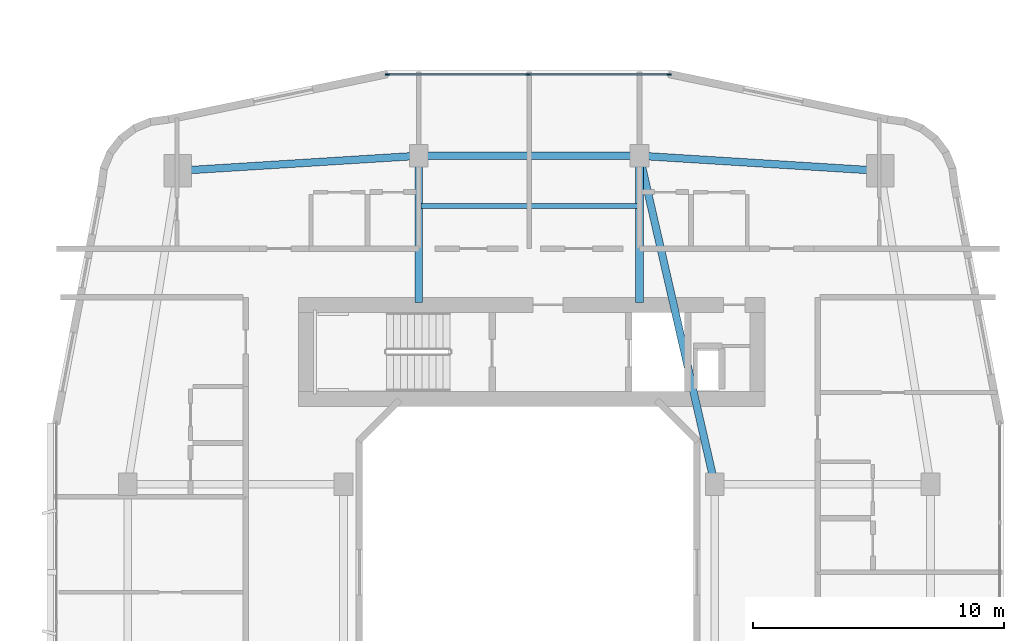
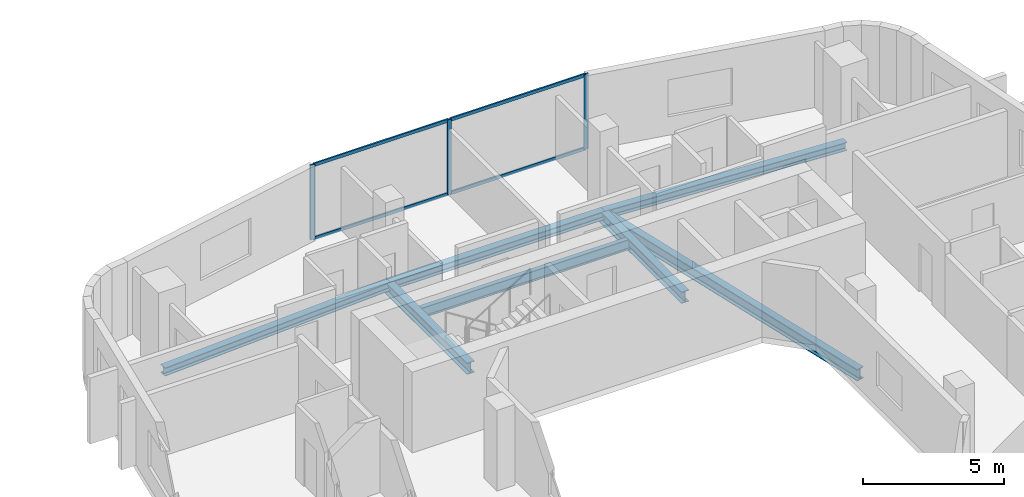
# One storey, part 11 of 26: 7 beams, 7 members, 1 element without a shape of its own.
"""IFC4 building model written with IfcOpenShell, lengths in metres."""

from ifc_helpers import new_model, si_unit, derived_unit, direction, frame, origin, origin_2d, place, context, subcontext, project, spatial, rectangle, i_section, extrude, material, layer, layer_set, material_profile, profile_set, type_object, element, aggregate, save


model = new_model("IFC4")

# Units and contexts
model_context = context("Model", 3, precision=1e-05, world=origin(), true_north=direction((0.0, 1.0)))
body_context = subcontext(model_context, "Body", "Model", "MODEL_VIEW")
ifc_project = project(units=[si_unit("LENGTHUNIT", "METRE"), si_unit("AREAUNIT", "SQUARE_METRE"), si_unit("VOLUMEUNIT", "CUBIC_METRE"), si_unit("PLANEANGLEUNIT", "RADIAN"), si_unit("MASSUNIT", "GRAM", prefix="KILO"), derived_unit("THERMALTRANSMITTANCEUNIT", [(si_unit("POWERUNIT", "WATT"), 1), (si_unit("LENGTHUNIT", "METRE"), -2), (si_unit("THERMODYNAMICTEMPERATUREUNIT", "KELVIN"), -1)])], contexts=[model_context])

# Site, building, storey
site_placement = place(None, origin())
site = spatial("IfcSite", under=ifc_project, at=site_placement, CompositionType="ELEMENT")
building_placement = place(site_placement, origin())
building = spatial("IfcBuilding", under=site, at=building_placement, Name="Kivonza Crest Hotel", CompositionType="ELEMENT")
storey_placement = place(building_placement, frame((0.0, 0.0, 55.5)))
storey = spatial("IfcBuildingStorey", under=building, at=storey_placement, Name="L14", CompositionType="ELEMENT", Elevation=55.5)

# Beams
ifc_material_1 = material(Name="Steel S355", Category="steel")
ifc_material_profile_1 = material_profile(ifc_material_1, i_section(OverallWidth=0.300048828125, OverallDepth=0.360107421875, WebThickness=0.012451171875, FlangeThickness=0.0224609375, FilletRadius=0.027099609375, at=origin_2d()), Name="HEB 360")
ifc_profile_set_1 = profile_set([ifc_material_profile_1], Name="Steel S355")
beam_type_1 = type_object("IfcBeamType", Name="BM-HEB360", PredefinedType="SPANDREL", material=ifc_profile_set_1)
beam_1_placement = place(storey_placement, frame((91.0, 41.0, -0.429931640625), z_axis=(-0.998051985873, 0.062387767186, 0.0), x_axis=(-0.062387767186, -0.998051985873, 0.0)))
element("IfcBeam", 1, at=beam_1_placement, inside=storey, type_object=beam_type_1, Name="Companion Tower T2 L14 perimeter spandrel NE-N2", PredefinedType="SPANDREL", context=body_context, shape_type="SweptSolid", body=[
    extrude(i_section(OverallWidth=0.300048828125, OverallDepth=0.360107421875, WebThickness=0.012451171875, FlangeThickness=0.0224609375, FilletRadius=0.027099609375, at=origin_2d()), origin(), (0.0, 0.0, 1.0), 9.618896484375),
])
beam_2_placement = place(storey_placement, frame((81.39990234375, 41.60009765625, -0.429931640625), z_axis=(-1.0, 0.0, 0.0), x_axis=(0.0, -1.0, 0.0)))
element("IfcBeam", 2, at=beam_2_placement, inside=storey, type_object=beam_type_1, Name="Companion Tower T2 L14 perimeter spandrel N2-N1", PredefinedType="SPANDREL", context=body_context, shape_type="SweptSolid", body=[
    extrude(i_section(OverallWidth=0.300048828125, OverallDepth=0.360107421875, WebThickness=0.012451171875, FlangeThickness=0.0224609375, FilletRadius=0.027099609375, at=origin_2d()), origin(), (0.0, 0.0, 1.0), 8.7998046875),
])
beam_3_placement = place(storey_placement, frame((72.60009765625, 41.60009765625, -0.429931640625), z_axis=(-0.998051985873, -0.062387767186, 0.0), x_axis=(0.062387767186, -0.998051985873, 0.0)))
element("IfcBeam", 3, at=beam_3_placement, inside=storey, type_object=beam_type_1, Name="Companion Tower T2 L14 perimeter spandrel N1-NW", PredefinedType="SPANDREL", context=body_context, shape_type="SweptSolid", body=[
    extrude(i_section(OverallWidth=0.300048828125, OverallDepth=0.360107421875, WebThickness=0.012451171875, FlangeThickness=0.0224609375, FilletRadius=0.027099609375, at=origin_2d()), origin(), (0.0, 0.0, 1.0), 9.618896484375),
])
ifc_material_profile_2 = material_profile(ifc_material_1, i_section(OverallWidth=0.300048828125, OverallDepth=0.5, WebThickness=0.014404296875, FlangeThickness=0.028076171875, FilletRadius=0.027099609375, at=origin_2d()), Name="HEB 500")
ifc_profile_set_2 = profile_set([ifc_material_profile_2], Name="Steel S355")
beam_type_2 = type_object("IfcBeamType", Name="BM-HEB500", PredefinedType="BEAM", material=ifc_profile_set_2)
beam_4_placement = place(storey_placement, frame((84.39990234375, 28.5, -0.5), z_axis=(-0.223227287589, 0.974766422317, 0.0), x_axis=(-0.974766422317, -0.223227287589, 0.0)))
element("IfcBeam", 4, at=beam_4_placement, inside=storey, type_object=beam_type_2, Name="Companion Tower T2 L14 girder WR2-N2", PredefinedType="BEAM", context=body_context, shape_type="SweptSolid", body=[
    extrude(i_section(OverallWidth=0.300048828125, OverallDepth=0.5, WebThickness=0.014404296875, FlangeThickness=0.028076171875, FilletRadius=0.027099609375, at=origin_2d()), origin(), (0.0, 0.0, 1.0), 13.439208984375),
])
for number, where, z_axis, x_axis, name in (
    (5, (72.60009765625, 41.60009765625, -0.5), (0.0, -1.0, 0.0), (1.0, 0.0, 0.0), "Companion T2 L14 radial core girder RN1"),
    (6, (81.39990234375, 41.60009765625, -0.5), (0.0, -1.0, 0.0), (1.0, 0.0, 0.0), "Companion T2 L14 radial core girder RN2"),
):
    element("IfcBeam", number, at=place(storey_placement, frame(where, z_axis=z_axis, x_axis=x_axis)), inside=storey, type_object=beam_type_2, Name=name, PredefinedType="BEAM", context=body_context, shape_type="SweptSolid", body=[
        extrude(i_section(OverallWidth=0.300048828125, OverallDepth=0.5, WebThickness=0.014404296875, FlangeThickness=0.028076171875, FilletRadius=0.027099609375, at=origin_2d()), origin(), (0.0, 0.0, 1.0), 5.85009765625),
    ])
ifc_material_profile_3 = material_profile(ifc_material_1, i_section(OverallWidth=0.18994140625, OverallDepth=0.449951171875, WebThickness=0.009521484375, FlangeThickness=0.0146484375, FilletRadius=0.02099609375, at=origin_2d()), Name="IPE 450")
ifc_profile_set_3 = profile_set([ifc_material_profile_3], Name="Steel S355")
beam_type_3 = type_object("IfcBeamType", Name="BM-IPE450", PredefinedType="JOIST", material=ifc_profile_set_3)
beam_5_placement = place(storey_placement, frame((72.679931640625, 39.60009765625, -0.47509765625), z_axis=(1.0, 0.0, 0.0), x_axis=(0.0, 1.0, 0.0)))
element("IfcBeam", 7, at=beam_5_placement, inside=storey, type_object=beam_type_3, Name="Companion Tower T2 L14 North floor joist", PredefinedType="JOIST", context=body_context, shape_type="SweptSolid", body=[
    extrude(i_section(OverallWidth=0.18994140625, OverallDepth=0.449951171875, WebThickness=0.009521484375, FlangeThickness=0.0146484375, FilletRadius=0.02099609375, at=origin_2d()), origin(), (0.0, 0.0, 1.0), 8.64013671875),
])

# Curtain wall, members
ifc_material_2 = material(Name="Anodised bronze aluminium and low-E double glazing", Category="aluminium")
ifc_layer = layer(ifc_material_2, 0.179931640625)
ifc_layer_set = layer_set([ifc_layer], Name="Anodised bronze aluminium and low-E double glazing")
curtain_wall_type = type_object("IfcCurtainWallType", Name="CW-SYS-4", PredefinedType="NOTDEFINED", material=ifc_layer_set)
curtain_wall_placement = place(storey_placement, origin())
curtain_wall = element("IfcCurtainWall", 8, at=curtain_wall_placement, inside=storey, type_object=curtain_wall_type, Name="L14 unitised curtain wall CW-T2-L14-26", PredefinedType="NOTDEFINED")
ifc_material_3 = material(Name="Anodised bronze aluminium", Category="aluminium")
ifc_material_profile_4 = material_profile(ifc_material_3, rectangle(XDim=0.06494140625, YDim=0.179931640625, at=origin_2d()), Name="CW-M 65x180")
ifc_profile_set_4 = profile_set([ifc_material_profile_4], Name="Anodised bronze aluminium")
member_type_1 = type_object("IfcMemberType", Name="CW-MUL-65x180", PredefinedType="MULLION", material=ifc_profile_set_4)
member_1_placement = place(storey_placement, frame((82.575439453125, 44.840087890625, 0.0), z_axis=(0.0, 0.0, 1.0), x_axis=(0.0, -1.0, 0.0)))
member_1 = element("IfcMember", 9, at=member_1_placement, type_object=member_type_1, Name="CW-4 mullion 1", PredefinedType="MULLION", context=body_context, shape_type="SweptSolid", body=[
    extrude(rectangle(XDim=0.06494140625, YDim=0.179931640625, at=origin_2d()), origin(), (0.0, 0.0, 1.0), 3.25),
])
member_2_placement = place(storey_placement, frame((76.9599609375, 44.840087890625, 0.0), z_axis=(0.0, 0.0, 1.0), x_axis=(0.0, -1.0, 0.0)))
member_2 = element("IfcMember", 10, at=member_2_placement, type_object=member_type_1, Name="CW-4 mullion 2", PredefinedType="MULLION", context=body_context, shape_type="SweptSolid", body=[
    extrude(rectangle(XDim=0.06494140625, YDim=0.179931640625, at=origin_2d()), origin(), (0.0, 0.0, 1.0), 3.25),
])
member_3_placement = place(storey_placement, frame((71.344482421875, 44.840087890625, 0.0), z_axis=(0.0, 0.0, 1.0), x_axis=(0.0, -1.0, 0.0)))
member_3 = element("IfcMember", 11, at=member_3_placement, type_object=member_type_1, Name="CW-4 mullion 3", PredefinedType="MULLION", context=body_context, shape_type="SweptSolid", body=[
    extrude(rectangle(XDim=0.06494140625, YDim=0.179931640625, at=origin_2d()), origin(), (0.0, 0.0, 1.0), 3.25),
])
ifc_material_profile_5 = material_profile(ifc_material_3, rectangle(XDim=0.06494140625, YDim=0.139892578125, at=origin_2d()), Name="CW-T 65x140")
ifc_profile_set_5 = profile_set([ifc_material_profile_5], Name="Anodised bronze aluminium")
member_type_2 = type_object("IfcMemberType", Name="CW-TRN-65x140", PredefinedType="USERDEFINED", material=ifc_profile_set_5)
member_4_placement = place(storey_placement, frame((82.54296875, 44.840087890625, 0.032470703125), z_axis=(-1.0, 0.0, 0.0), x_axis=(0.0, -1.0, 0.0)))
member_4 = element("IfcMember", 12, at=member_4_placement, type_object=member_type_2, Name="CW-4 transom 1.1", ObjectType="TRANSOM", PredefinedType="USERDEFINED", context=body_context, shape_type="SweptSolid", body=[
    extrude(rectangle(XDim=0.06494140625, YDim=0.139892578125, at=origin_2d()), origin(), (0.0, 0.0, 1.0), 5.550537109375),
])
member_5_placement = place(storey_placement, frame((82.54296875, 44.840087890625, 3.217529296875), z_axis=(-1.0, 0.0, 0.0), x_axis=(0.0, -1.0, 0.0)))
member_5 = element("IfcMember", 13, at=member_5_placement, type_object=member_type_2, Name="CW-4 transom 1.2", ObjectType="TRANSOM", PredefinedType="USERDEFINED", context=body_context, shape_type="SweptSolid", body=[
    extrude(rectangle(XDim=0.06494140625, YDim=0.139892578125, at=origin_2d()), origin(), (0.0, 0.0, 1.0), 5.550537109375),
])
member_6_placement = place(storey_placement, frame((76.927490234375, 44.840087890625, 0.032470703125), z_axis=(-1.0, 0.0, 0.0), x_axis=(0.0, -1.0, 0.0)))
member_6 = element("IfcMember", 14, at=member_6_placement, type_object=member_type_2, Name="CW-4 transom 2.1", ObjectType="TRANSOM", PredefinedType="USERDEFINED", context=body_context, shape_type="SweptSolid", body=[
    extrude(rectangle(XDim=0.06494140625, YDim=0.139892578125, at=origin_2d()), origin(), (0.0, 0.0, 1.0), 5.550537109375),
])
member_7_placement = place(storey_placement, frame((76.927490234375, 44.840087890625, 3.217529296875), z_axis=(-1.0, 0.0, 0.0), x_axis=(0.0, -1.0, 0.0)))
member_7 = element("IfcMember", 15, at=member_7_placement, type_object=member_type_2, Name="CW-4 transom 2.2", ObjectType="TRANSOM", PredefinedType="USERDEFINED", context=body_context, shape_type="SweptSolid", body=[
    extrude(rectangle(XDim=0.06494140625, YDim=0.139892578125, at=origin_2d()), origin(), (0.0, 0.0, 1.0), 5.550537109375),
])
aggregate(curtain_wall, [member_1, member_2, member_3, member_4, member_5, member_6, member_7])

save(model, "model.ifc")
